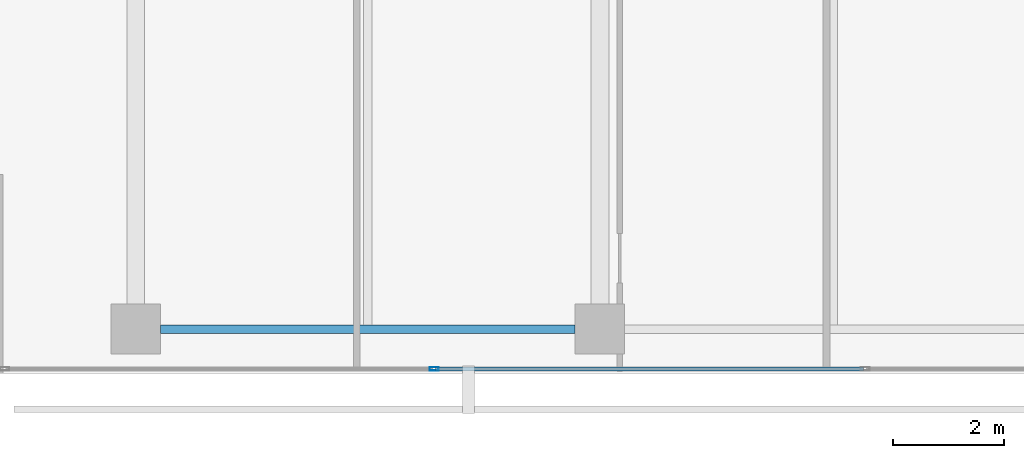
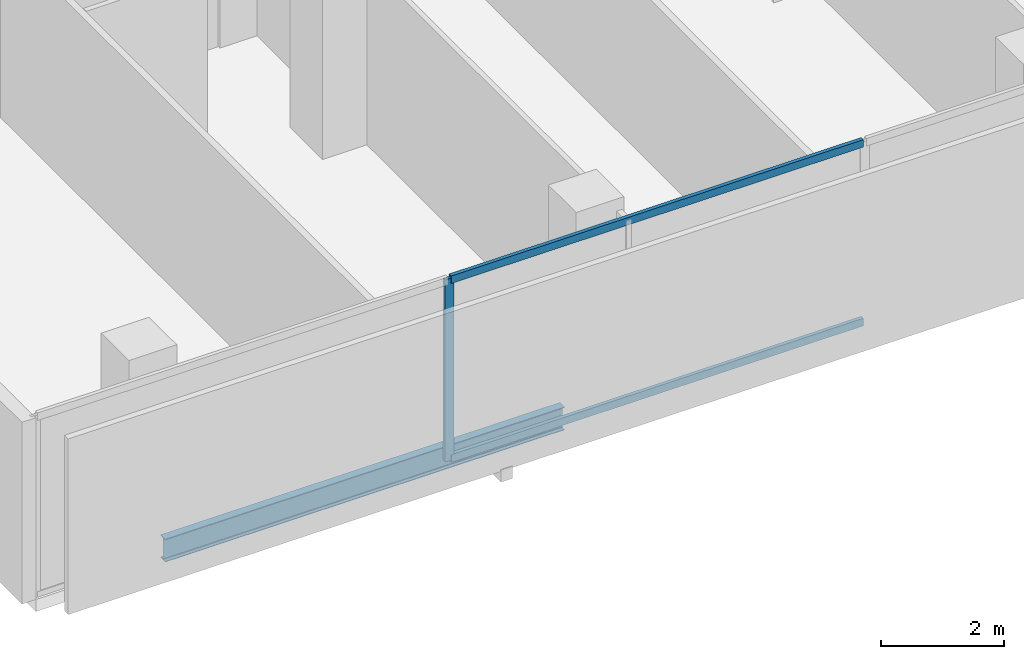
# One storey, part 3 of 40: 3 members, 1 beam, 1 element without a shape of its own.
"""IFC4 building model written with IfcOpenShell, lengths in metres."""

from ifc_helpers import new_model, si_unit, direction, frame, origin, origin_2d, place, context, subcontext, project, spatial, hollow_rectangle, i_section, extrude, material, layer, layer_set, material_profile, profile_set, type_object, element, aggregate, save


model = new_model("IFC4")

# Units and contexts
model_context = context("Model", 3, precision=1e-05, world=origin(), true_north=direction((0.0, 1.0)))
body_context = subcontext(model_context, "Body", "Model", "MODEL_VIEW")
ifc_project = project(units=[si_unit("LENGTHUNIT", "METRE"), si_unit("AREAUNIT", "SQUARE_METRE"), si_unit("VOLUMEUNIT", "CUBIC_METRE"), si_unit("PLANEANGLEUNIT", "RADIAN"), si_unit("MASSUNIT", "GRAM", prefix="KILO")], contexts=[model_context])

# Site, building, storey
site_placement = place(None, origin())
site = spatial("IfcSite", under=ifc_project, at=site_placement, CompositionType="ELEMENT")
building_placement = place(site_placement, origin())
building = spatial("IfcBuilding", under=site, at=building_placement, Name="Maruvema Waterfront Hotel and Observation Tower", CompositionType="ELEMENT")
storey_placement = place(building_placement, frame((0.0, 0.0, 88.550048828125)))
storey = spatial("IfcBuildingStorey", under=building, at=storey_placement, Name="L21", CompositionType="ELEMENT", Elevation=88.550048828125)

# Curtain wall, members
ifc_material_1 = material(Name="Anodised bronze aluminium and solar-control low-E IGU", Category="aluminium")
ifc_layer = layer(ifc_material_1, 0.159912109375, Name="Zone 1 Bronze Inner Thermal Curtain Wall System CW-02")
ifc_layer_set = layer_set([ifc_layer], Name="Anodised bronze aluminium and solar-control low-E IGU")
curtain_wall_type = type_object("IfcCurtainWallType", Name="Zone 1 Bronze Inner Thermal Curtain Wall System CW-02", PredefinedType="USERDEFINED", material=ifc_layer_set)
curtain_wall_placement = place(storey_placement, origin())
curtain_wall = element("IfcCurtainWall", 1, at=curtain_wall_placement, inside=storey, type_object=curtain_wall_type, Name="L21 Curtain Wall CW-L21-S", ObjectType="UNITISED CURTAIN WALL", PredefinedType="USERDEFINED")
ifc_material_2 = material(Name="Anodised architectural bronze aluminium", Category="aluminium")
ifc_material_profile_1 = material_profile(ifc_material_2, hollow_rectangle(XDim=0.070068359375, YDim=0.14990234375, WallThickness=0.00390625, at=origin_2d()), Name="ALU-T70x150")
ifc_profile_set_1 = profile_set([ifc_material_profile_1], Name="Anodised architectural bronze aluminium")
member_type_1 = type_object("IfcMemberType", Name="Curtain Wall Horizontal Transom ALU-T70x150", PredefinedType="USERDEFINED", material=ifc_profile_set_1)
member_1_placement = place(storey_placement, frame((22.22998046875, 0.080078125, 0.030029296875), z_axis=(1.0, 0.0, 0.0), x_axis=(0.0, 1.0, 0.0)))
member_1 = element("IfcMember", 2, at=member_1_placement, type_object=member_type_1, Name="CW-02 transom 2.1", ObjectType="TRANSOM", PredefinedType="USERDEFINED", context=body_context, shape_type="SweptSolid", body=[
    extrude(hollow_rectangle(XDim=0.070068359375, YDim=0.14990234375, WallThickness=0.00390625, at=origin_2d()), origin(), (0.0, 0.0, 1.0), 7.739990234375),
])
member_2_placement = place(storey_placement, frame((22.22998046875, 0.080078125, 3.579833984375), z_axis=(1.0, 0.0, 0.0), x_axis=(0.0, 1.0, 0.0)))
member_2 = element("IfcMember", 3, at=member_2_placement, type_object=member_type_1, Name="CW-02 transom 2.2", ObjectType="TRANSOM", PredefinedType="USERDEFINED", context=body_context, shape_type="SweptSolid", body=[
    extrude(hollow_rectangle(XDim=0.070068359375, YDim=0.14990234375, WallThickness=0.00390625, at=origin_2d()), origin(), (0.0, 0.0, 1.0), 7.739990234375),
])
ifc_material_3 = material(Name="Anodised architectural bronze aluminium", Category="aluminium")
ifc_material_profile_2 = material_profile(ifc_material_3, hollow_rectangle(XDim=0.06494140625, YDim=0.1650390625, WallThickness=0.00390625, at=origin_2d()), Name="ALU-M65x165")
ifc_profile_set_2 = profile_set([ifc_material_profile_2], Name="Anodised architectural bronze aluminium")
member_type_2 = type_object("IfcMemberType", Name="Curtain Wall Primary Mullion ALU-M65x165", PredefinedType="MULLION", material=ifc_profile_set_2)
member_3_placement = place(storey_placement, frame((22.199951171875, 0.080078125, 0.0), z_axis=(0.0, 0.0, 1.0), x_axis=(0.0, 1.0, 0.0)))
member_3 = element("IfcMember", 4, at=member_3_placement, type_object=member_type_2, Name="CW-02 mullion 2", PredefinedType="MULLION", context=body_context, shape_type="SweptSolid", body=[
    extrude(hollow_rectangle(XDim=0.06494140625, YDim=0.1650390625, WallThickness=0.00390625, at=origin_2d()), origin(), (0.0, 0.0, 1.0), 3.60986328125),
])
aggregate(curtain_wall, [member_3, member_1, member_2])

# Beam
ifc_material_4 = material(Name="Steel ASTM A572 Grade 50", Category="steel")
ifc_material_profile_3 = material_profile(ifc_material_4, i_section(OverallWidth=0.153076171875, OverallDepth=0.455078125, WebThickness=0.008056640625, FlangeThickness=0.01318359375, FilletRadius=0.014892578125, at=origin_2d()), Name="W460x60.0")
ifc_profile_set_3 = profile_set([ifc_material_profile_3], Name="Steel ASTM A572 Grade 50")
beam_type = type_object("IfcBeamType", Name="Perimeter Spandrel Beam W460x60.0", PredefinedType="SPANDREL", material=ifc_profile_set_3)
beam_placement = place(storey_placement, frame((17.25, 0.800048828125, -0.467529296875), z_axis=(1.0, 0.0, 0.0), x_axis=(0.0, 1.0, 0.0)))
element("IfcBeam", 5, at=beam_placement, inside=storey, type_object=beam_type, Name="L21 Floor Girder EW-01", PredefinedType="SPANDREL", context=body_context, shape_type="SweptSolid", body=[
    extrude(i_section(OverallWidth=0.153076171875, OverallDepth=0.455078125, WebThickness=0.008056640625, FlangeThickness=0.01318359375, FilletRadius=0.014892578125, at=origin_2d()), origin(), (0.0, 0.0, 1.0), 7.5),
])

save(model, "model.ifc")
